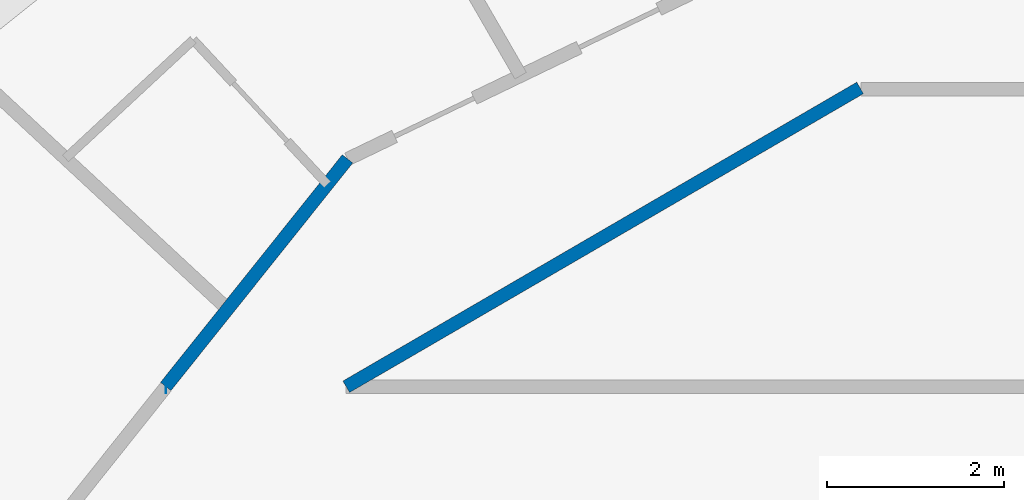
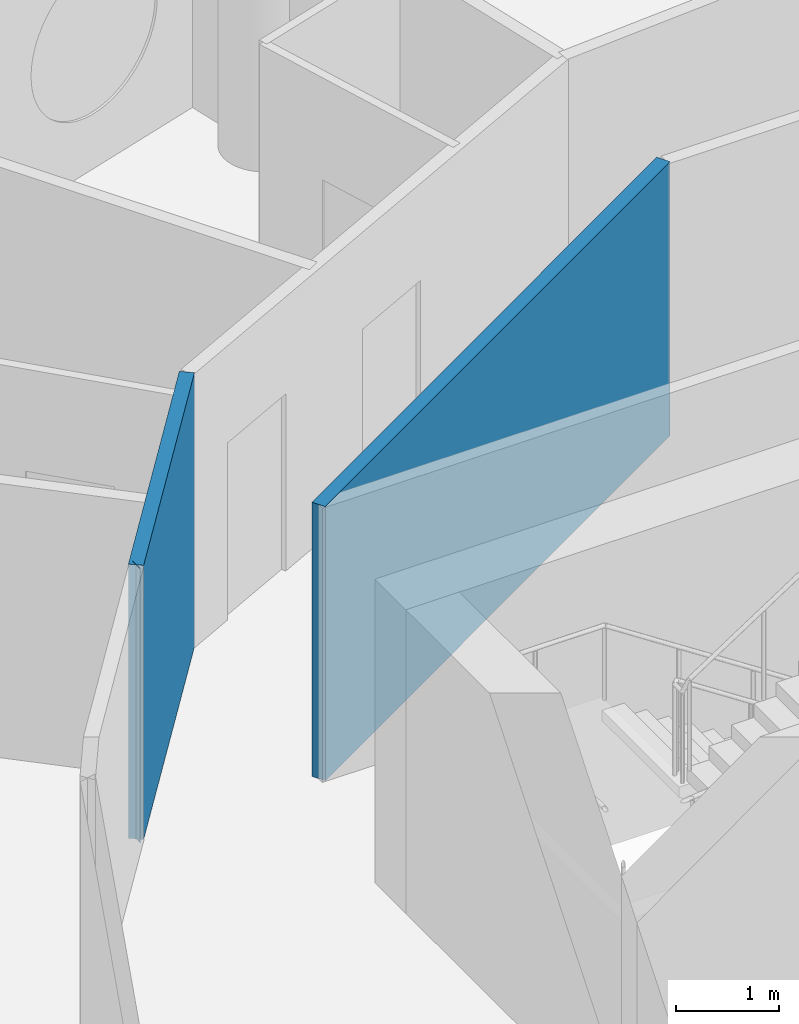
# One storey, part 7 of 13: 3 walls.
"""IFC4 building model written with IfcOpenShell, lengths in metres."""

from ifc_helpers import new_model, si_unit, direction, frame, frame_2d, origin, place, context, subcontext, project, spatial, rectangle, extrude, material, layer, layer_set, type_object, element, save


model = new_model("IFC4")

# Units and contexts
model_context = context("Model", 3, precision=1e-05, world=origin(), true_north=direction((0.0, 1.0)))
body_context = subcontext(model_context, "Body", "Model", "MODEL_VIEW")
ifc_project = project(units=[si_unit("LENGTHUNIT", "METRE"), si_unit("AREAUNIT", "SQUARE_METRE"), si_unit("VOLUMEUNIT", "CUBIC_METRE"), si_unit("PLANEANGLEUNIT", "RADIAN"), si_unit("MASSUNIT", "GRAM", prefix="KILO")], contexts=[model_context])

# Site, building, storey
site_placement = place(None, origin())
site = spatial("IfcSite", under=ifc_project, at=site_placement, CompositionType="ELEMENT")
building_placement = place(site_placement, origin())
building = spatial("IfcBuilding", under=site, at=building_placement, Name="Tracery Tower", CompositionType="ELEMENT")
storey_placement = place(building_placement, frame((0.0, 0.0, 319.800048828125)))
storey = spatial("IfcBuildingStorey", under=building, at=storey_placement, Name="L83", CompositionType="ELEMENT", Elevation=319.800048828125)

# Walls
ifc_material = material(Name="Plasterboard on steel studs", Category="steel")
ifc_layer = layer(ifc_material, 0.14990234375)
ifc_layer_set = layer_set([ifc_layer], Name="Partition 150 corridor wall")
wall_type = type_object("IfcWallType", Name="Partition 150 corridor wall", PredefinedType="PARTITIONING", material=ifc_layer_set)
wall_1_placement = place(storey_placement, frame((-9.092041015625, 8.800048828125, 0.0), z_axis=(0.0, 0.0, 1.0), x_axis=(0.864470922103, 0.502682827277, 0.0)))
element("IfcWall", 1, at=wall_1_placement, inside=storey, type_object=wall_type, Name="Corridor wall RC9-001", PredefinedType="PARTITIONING", context=body_context, shape_type="SweptSolid", body=[
    extrude(rectangle(XDim=6.7353515625, YDim=0.14990234375, at=frame_2d((3.36767578125, 0.0))), origin(), (0.0, 0.0, 1.0), 3.25),
])
wall_2_placement = place(storey_placement, frame((-11.137451171875, 8.802978515625, 0.0), z_axis=(0.0, 0.0, 1.0), x_axis=(0.624018330412, 0.781409702595, 0.0)))
element("IfcWall", 2, at=wall_2_placement, inside=storey, type_object=wall_type, Name="Corridor wall RC9-007", PredefinedType="PARTITIONING", context=body_context, shape_type="SweptSolid", body=[
    extrude(rectangle(XDim=3.30078125, YDim=0.14990234375, at=frame_2d((1.650390625, 0.0))), origin(), (0.0, 0.0, 1.0), 3.25),
])
wall_3_placement = place(storey_placement, frame((-11.134033203125, 8.800048828125, 0.0), z_axis=(0.0, 0.0, 1.0), x_axis=(-1.0, 0.0, 0.0)))
element("IfcWall", 3, at=wall_3_placement, inside=storey, type_object=wall_type, Name="Corridor wall RC9-009", PredefinedType="PARTITIONING", context=body_context, shape_type="SweptSolid", body=[
    extrude(rectangle(XDim=0.0029296875, YDim=0.14990234375, at=frame_2d((0.00146484375, 0.0))), origin(), (0.0, 0.0, 1.0), 3.25),
])

save(model, "model.ifc")
